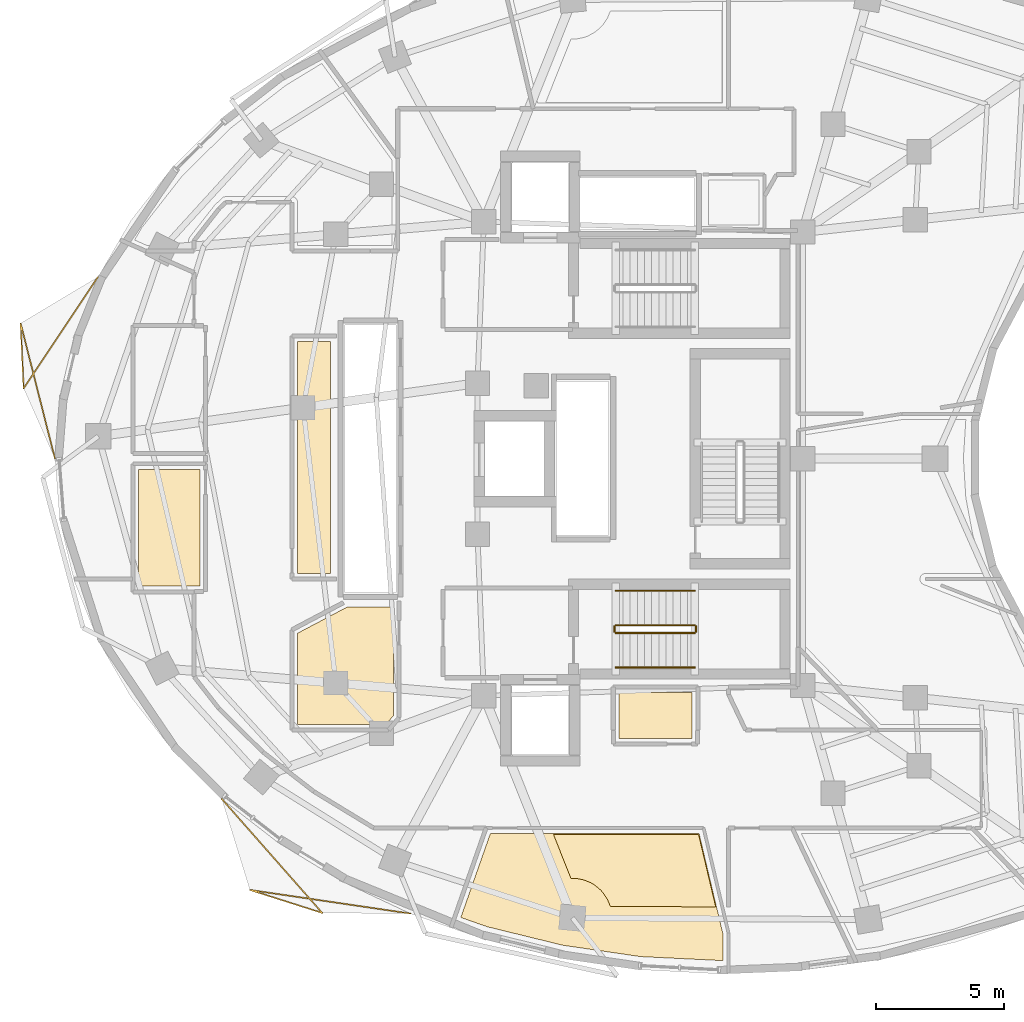
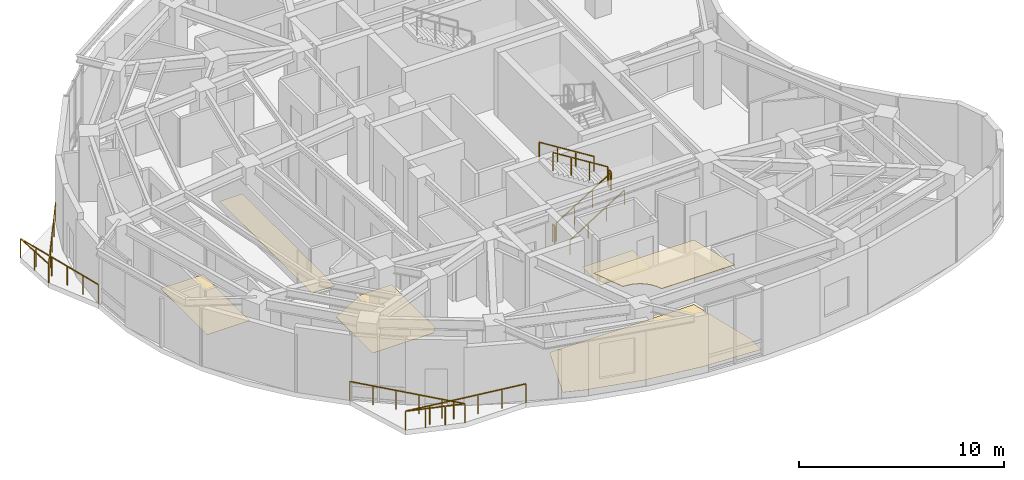
# One storey, part 11 of 13: 8 railings, 6 coverings.
"""IFC4 building model written with IfcOpenShell, lengths in metres."""

from ifc_helpers import new_model, si_unit, direction, frame, origin, origin_2d, place, context, subcontext, project, spatial, polyline, rectangle, outline, extrude, material, layer, layer_set, type_object, element, save


model = new_model("IFC4")

# Units and contexts
model_context = context("Model", 3, precision=1e-05, world=origin(), true_north=direction((0.0, 1.0)))
body_context = subcontext(model_context, "Body", "Model", "MODEL_VIEW")
ifc_project = project(units=[si_unit("LENGTHUNIT", "METRE"), si_unit("AREAUNIT", "SQUARE_METRE"), si_unit("VOLUMEUNIT", "CUBIC_METRE"), si_unit("PLANEANGLEUNIT", "RADIAN"), si_unit("MASSUNIT", "GRAM", prefix="KILO")], contexts=[model_context])

# Site, building, storey
site_placement = place(None, origin())
site = spatial("IfcSite", under=ifc_project, at=site_placement, CompositionType="ELEMENT")
building_placement = place(site_placement, origin())
building = spatial("IfcBuilding", under=site, at=building_placement, Name="Korentha Bioscience Tower", CompositionType="ELEMENT")
storey_placement = place(building_placement, frame((0.0, 0.0, 204.60009765625)))
storey = spatial("IfcBuildingStorey", under=building, at=storey_placement, Name="L47", CompositionType="ELEMENT", Elevation=204.60009765625)

# Railings
ifc_material_1 = material(Name="Stainless Steel 304", Category="steel")
railing_type_1 = type_object("IfcRailingType", Name="Brushed Stainless Stair Handrail 900", PredefinedType="HANDRAIL", material=ifc_material_1)
railing_1_placement = place(storey_placement, frame((30.25, 18.85009765625, 0.1748046875)))
element("IfcRailing", 1, at=railing_1_placement, inside=storey, type_object=railing_type_1, Name="L47 ST-2 stair handrail 1", PredefinedType="HANDRAIL", context=body_context, shape_type="SweptSolid", body=[
    extrude(rectangle(XDim=0.048095703125, YDim=0.048095703125, at=origin_2d()), frame((0.0, 0.0, 0.8759765625), z_axis=(0.847998304005, 0.0, 0.529998940003), x_axis=(0.0, 1.0, 0.0)), (0.0, 0.0, 1.0), 3.632080078125),
    extrude(rectangle(XDim=0.0419921875, YDim=0.0419921875, at=origin_2d()), origin(), (0.0, 0.0, 1.0), 0.851806640625),
    extrude(rectangle(XDim=0.0419921875, YDim=0.0419921875, at=origin_2d()), frame((1.026611328125, 0.0, 0.6416015625)), (0.0, 0.0, 1.0), 0.851806640625),
    extrude(rectangle(XDim=0.0419921875, YDim=0.0419921875, at=origin_2d()), frame((2.053466796875, 0.0, 1.283447265625)), (0.0, 0.0, 1.0), 0.851806640625),
    extrude(rectangle(XDim=0.0419921875, YDim=0.0419921875, at=origin_2d()), frame((3.080078125, 0.0, 1.925048828125)), (0.0, 0.0, 1.0), 0.851806640625),
])
railing_2_placement = place(storey_placement, frame((33.330078125, 21.85009765625, 2.27490234375)))
element("IfcRailing", 2, at=railing_2_placement, inside=storey, type_object=railing_type_1, Name="L47 ST-2 stair handrail 2", PredefinedType="HANDRAIL", context=body_context, shape_type="SweptSolid", body=[
    extrude(rectangle(XDim=0.048095703125, YDim=0.048095703125, at=origin_2d()), frame((0.0, 0.0, 0.8759765625), z_axis=(-0.847998304005, 0.0, 0.529998940003), x_axis=(0.0, -1.0, 0.0)), (0.0, 0.0, 1.0), 3.632080078125),
    extrude(rectangle(XDim=0.0419921875, YDim=0.0419921875, at=origin_2d()), origin(), (0.0, 0.0, 1.0), 0.851806640625),
    extrude(rectangle(XDim=0.0419921875, YDim=0.0419921875, at=origin_2d()), frame((-1.026611328125, 0.0, 0.6416015625)), (0.0, 0.0, 1.0), 0.851806640625),
    extrude(rectangle(XDim=0.0419921875, YDim=0.0419921875, at=origin_2d()), frame((-2.053466796875, 0.0, 1.283447265625)), (0.0, 0.0, 1.0), 0.851806640625),
    extrude(rectangle(XDim=0.0419921875, YDim=0.0419921875, at=origin_2d()), frame((-3.080078125, 0.0, 1.925048828125)), (0.0, 0.0, 1.0), 0.851806640625),
])
ifc_material_2 = material(Name="Laminated Tempered Safety Glass", Category="glass")
railing_type_2 = type_object("IfcRailingType", Name="Laminated Glass Balcony Guardrail 1150", PredefinedType="BALUSTRADE", material=ifc_material_2)
railing_3_placement = place(storey_placement, frame((10.041015625, 34.096435546875, 0.0)))
element("IfcRailing", 3, at=railing_3_placement, inside=storey, type_object=railing_type_2, Name="L47 Balcony Guardrail 02", PredefinedType="BALUSTRADE", context=body_context, shape_type="SweptSolid", body=[
    extrude(rectangle(XDim=0.048095703125, YDim=0.048095703125, at=origin_2d()), frame((0.0, 0.0, 1.1259765625), z_axis=(-0.55523863077, -0.831691086222, 0.0), x_axis=(0.831691086222, -0.55523863077, 0.0)), (0.0, 0.0, 1.0), 5.230712890625),
    extrude(rectangle(XDim=0.048095703125, YDim=0.048095703125, at=origin_2d()), frame((-2.904296875, -4.350341796875, 1.1259765625), z_axis=(-0.046401207244, 0.998922883894, 0.0), x_axis=(-0.998922883894, -0.046401207244, 0.0)), (0.0, 0.0, 1.0), 2.541259765625),
    extrude(rectangle(XDim=0.048095703125, YDim=0.048095703125, at=origin_2d()), frame((-3.022216796875, -1.811767578125, 1.1259765625), z_axis=(0.245800598479, -0.969320414408, 0.0), x_axis=(0.969320414408, 0.245800598479, 0.0)), (0.0, 0.0, 1.0), 5.451904296875),
    extrude(rectangle(XDim=0.0419921875, YDim=0.0419921875, at=origin_2d()), origin(), (0.0, 0.0, 1.0), 1.101806640625),
    extrude(rectangle(XDim=0.0419921875, YDim=0.0419921875, at=origin_2d()), frame((-0.72607421875, -1.087646484375, 0.0)), (0.0, 0.0, 1.0), 1.101806640625),
    extrude(rectangle(XDim=0.0419921875, YDim=0.0419921875, at=origin_2d()), frame((-1.4521484375, -2.17529296875, 0.0)), (0.0, 0.0, 1.0), 1.101806640625),
    extrude(rectangle(XDim=0.0419921875, YDim=0.0419921875, at=origin_2d()), frame((-2.17822265625, -3.2626953125, 0.0)), (0.0, 0.0, 1.0), 1.101806640625),
    extrude(rectangle(XDim=0.0419921875, YDim=0.0419921875, at=origin_2d()), frame((-2.904296875, -4.350341796875, 0.0)), (0.0, 0.0, 1.0), 1.101806640625),
    extrude(rectangle(XDim=0.0419921875, YDim=0.0419921875, at=origin_2d()), frame((-2.96337890625, -3.0810546875, 0.0)), (0.0, 0.0, 1.0), 1.101806640625),
    extrude(rectangle(XDim=0.0419921875, YDim=0.0419921875, at=origin_2d()), frame((-3.022216796875, -1.811767578125, 0.0)), (0.0, 0.0, 1.0), 1.101806640625),
    extrude(rectangle(XDim=0.0419921875, YDim=0.0419921875, at=origin_2d()), frame((-2.754150390625, -2.86865234375, 0.0)), (0.0, 0.0, 1.0), 1.101806640625),
    extrude(rectangle(XDim=0.0419921875, YDim=0.0419921875, at=origin_2d()), frame((-2.486083984375, -3.925537109375, 0.0)), (0.0, 0.0, 1.0), 1.101806640625),
    extrude(rectangle(XDim=0.0419921875, YDim=0.0419921875, at=origin_2d()), frame((-2.21826171875, -4.982666015625, 0.0)), (0.0, 0.0, 1.0), 1.101806640625),
    extrude(rectangle(XDim=0.0419921875, YDim=0.0419921875, at=origin_2d()), frame((-1.9501953125, -6.03955078125, 0.0)), (0.0, 0.0, 1.0), 1.101806640625),
    extrude(rectangle(XDim=0.0419921875, YDim=0.0419921875, at=origin_2d()), frame((-1.68212890625, -7.096435546875, 0.0)), (0.0, 0.0, 1.0), 1.101806640625),
])
railing_4_placement = place(storey_placement, frame((14.87060546875, 13.720458984375, 0.0)))
element("IfcRailing", 4, at=railing_4_placement, inside=storey, type_object=railing_type_2, Name="L47 Balcony Guardrail 03", PredefinedType="BALUSTRADE", context=body_context, shape_type="SweptSolid", body=[
    extrude(rectangle(XDim=0.048095703125, YDim=0.048095703125, at=origin_2d()), frame((0.0, 0.0, 1.1259765625), z_axis=(0.661078526041, -0.750316721397, 0.0), x_axis=(0.750316721397, 0.661078526041, 0.0)), (0.0, 0.0, 1.0), 5.93408203125),
    extrude(rectangle(XDim=0.048095703125, YDim=0.048095703125, at=origin_2d()), frame((3.9228515625, -4.452392578125, 1.1259765625), z_axis=(-0.952858767138, 0.303414188673, 0.0), x_axis=(-0.303414188673, -0.952858767138, 0.0)), (0.0, 0.0, 1.0), 2.967529296875),
    extrude(rectangle(XDim=0.048095703125, YDim=0.048095703125, at=origin_2d()), frame((1.09521484375, -3.552001953125, 1.1259765625), z_axis=(0.989326770978, -0.145713898533, 0.0), x_axis=(0.145713898533, 0.989326770978, 0.0)), (0.0, 0.0, 1.0), 6.328369140625),
    extrude(rectangle(XDim=0.0419921875, YDim=0.0419921875, at=origin_2d()), origin(), (0.0, 0.0, 1.0), 1.101806640625),
    extrude(rectangle(XDim=0.0419921875, YDim=0.0419921875, at=origin_2d()), frame((0.78466796875, -0.890380859375, 0.0)), (0.0, 0.0, 1.0), 1.101806640625),
    extrude(rectangle(XDim=0.0419921875, YDim=0.0419921875, at=origin_2d()), frame((1.569091796875, -1.781005859375, 0.0)), (0.0, 0.0, 1.0), 1.101806640625),
    extrude(rectangle(XDim=0.0419921875, YDim=0.0419921875, at=origin_2d()), frame((2.353759765625, -2.67138671875, 0.0)), (0.0, 0.0, 1.0), 1.101806640625),
    extrude(rectangle(XDim=0.0419921875, YDim=0.0419921875, at=origin_2d()), frame((3.13818359375, -3.56201171875, 0.0)), (0.0, 0.0, 1.0), 1.101806640625),
    extrude(rectangle(XDim=0.0419921875, YDim=0.0419921875, at=origin_2d()), frame((3.9228515625, -4.452392578125, 0.0)), (0.0, 0.0, 1.0), 1.101806640625),
    extrude(rectangle(XDim=0.0419921875, YDim=0.0419921875, at=origin_2d()), frame((2.980224609375, -4.15234375, 0.0)), (0.0, 0.0, 1.0), 1.101806640625),
    extrude(rectangle(XDim=0.0419921875, YDim=0.0419921875, at=origin_2d()), frame((2.037841796875, -3.85205078125, 0.0)), (0.0, 0.0, 1.0), 1.101806640625),
    extrude(rectangle(XDim=0.0419921875, YDim=0.0419921875, at=origin_2d()), frame((1.09521484375, -3.552001953125, 0.0)), (0.0, 0.0, 1.0), 1.101806640625),
    extrude(rectangle(XDim=0.0419921875, YDim=0.0419921875, at=origin_2d()), frame((2.347412109375, -3.736328125, 0.0)), (0.0, 0.0, 1.0), 1.101806640625),
    extrude(rectangle(XDim=0.0419921875, YDim=0.0419921875, at=origin_2d()), frame((3.599609375, -3.9208984375, 0.0)), (0.0, 0.0, 1.0), 1.101806640625),
    extrude(rectangle(XDim=0.0419921875, YDim=0.0419921875, at=origin_2d()), frame((4.8515625, -4.105224609375, 0.0)), (0.0, 0.0, 1.0), 1.101806640625),
    extrude(rectangle(XDim=0.0419921875, YDim=0.0419921875, at=origin_2d()), frame((6.103759765625, -4.289794921875, 0.0)), (0.0, 0.0, 1.0), 1.101806640625),
    extrude(rectangle(XDim=0.0419921875, YDim=0.0419921875, at=origin_2d()), frame((7.35595703125, -4.47412109375, 0.0)), (0.0, 0.0, 1.0), 1.101806640625),
])

# Covering
ifc_material_3 = material(Name="Antimicrobial Mineral Fibre Board", Category="gypsum")
ifc_layer_1 = layer(ifc_material_3, 0.034912109375, Name="Antimicrobial Mineral Fibre Board")
ifc_layer_set_1 = layer_set([ifc_layer_1], Name="Antimicrobial Mineral Fibre Board (CL-MF35)")
covering_type_1 = type_object("IfcCoveringType", Name="Mineral-Fibre Cleanroom Suspended Ceiling 35", PredefinedType="CEILING", material=ifc_layer_set_1)
covering_1_placement = place(storey_placement, frame((0.0, 0.0, 3.864990234375)))
element("IfcCovering", 5, at=covering_1_placement, inside=storey, type_object=covering_type_1, Name="L47 Principal Investigator Office 03 Acoustic Ceiling", PredefinedType="CEILING", context=body_context, shape_type="SweptSolid", body=[
    extrude(outline(polyline([(34.149658203125, 9.504638671875), (30.03662109375, 9.52734375), (29.920654296875, 9.80712890625), (29.751953125, 10.059814453125), (29.649658203125, 10.172607421875), (29.414794921875, 10.365234375), (29.284423828125, 10.443603515625), (29.003662109375, 10.559814453125), (28.70556640625, 10.618896484375), (28.497314453125, 10.623779296875), (27.814697265625, 12.337646484375), (33.4775390625, 12.33984375), (34.149658203125, 9.504638671875)])), origin(), (0.0, 0.0, 1.0), 0.034912109375),
])

# Railings
ifc_material_4 = material(Name="Painted Steel S275", Category="steel")
railing_type_3 = type_object("IfcRailingType", Name="Painted Steel Stair Well Guardrail 1100", PredefinedType="GUARDRAIL", material=ifc_material_4)
railing_5_placement = place(storey_placement, frame((30.25, 20.199951171875, 0.1748046875)))
element("IfcRailing", 6, at=railing_5_placement, inside=storey, type_object=railing_type_3, Name="L47 ST-2 stair guard 1", PredefinedType="GUARDRAIL", context=body_context, shape_type="SweptSolid", body=[
    extrude(rectangle(XDim=0.048095703125, YDim=0.048095703125, at=origin_2d()), frame((0.0, 0.0, 1.076171875), z_axis=(0.847998304005, 0.0, 0.529998940003), x_axis=(0.0, 1.0, 0.0)), (0.0, 0.0, 1.0), 3.632080078125),
    extrude(rectangle(XDim=0.0419921875, YDim=0.0419921875, at=origin_2d()), origin(), (0.0, 0.0, 1.0), 1.052001953125),
    extrude(rectangle(XDim=0.0419921875, YDim=0.0419921875, at=origin_2d()), frame((1.026611328125, 0.0, 0.6416015625)), (0.0, 0.0, 1.0), 1.052001953125),
    extrude(rectangle(XDim=0.0419921875, YDim=0.0419921875, at=origin_2d()), frame((2.053466796875, 0.0, 1.283447265625)), (0.0, 0.0, 1.0), 1.052001953125),
    extrude(rectangle(XDim=0.0419921875, YDim=0.0419921875, at=origin_2d()), frame((3.080078125, 0.0, 1.925048828125)), (0.0, 0.0, 1.0), 1.052001953125),
])
railing_6_placement = place(storey_placement, frame((33.3798828125, 20.25, 2.099853515625)))
element("IfcRailing", 7, at=railing_6_placement, inside=storey, type_object=railing_type_3, Name="L47 ST-2 stair guard 2", PredefinedType="GUARDRAIL", context=body_context, shape_type="SweptSolid", body=[
    extrude(rectangle(XDim=0.048095703125, YDim=0.048095703125, at=origin_2d()), frame((0.0, 0.0, 1.076171875), z_axis=(0.0, 1.0, 0.0), x_axis=(-1.0, 0.0, 0.0)), (0.0, 0.0, 1.0), 0.199951171875),
    extrude(rectangle(XDim=0.0419921875, YDim=0.0419921875, at=origin_2d()), origin(), (0.0, 0.0, 1.0), 1.052001953125),
    extrude(rectangle(XDim=0.0419921875, YDim=0.0419921875, at=origin_2d()), frame((0.0, 0.199951171875, 0.0)), (0.0, 0.0, 1.0), 1.052001953125),
])
railing_7_placement = place(storey_placement, frame((33.330078125, 20.5, 2.27490234375)))
element("IfcRailing", 8, at=railing_7_placement, inside=storey, type_object=railing_type_3, Name="L47 ST-2 stair guard 3", PredefinedType="GUARDRAIL", context=body_context, shape_type="SweptSolid", body=[
    extrude(rectangle(XDim=0.048095703125, YDim=0.048095703125, at=origin_2d()), frame((0.0, 0.0, 1.076171875), z_axis=(-0.847998304005, 0.0, 0.529998940003), x_axis=(0.0, -1.0, 0.0)), (0.0, 0.0, 1.0), 3.632080078125),
    extrude(rectangle(XDim=0.0419921875, YDim=0.0419921875, at=origin_2d()), origin(), (0.0, 0.0, 1.0), 1.052001953125),
    extrude(rectangle(XDim=0.0419921875, YDim=0.0419921875, at=origin_2d()), frame((-1.026611328125, 0.0, 0.6416015625)), (0.0, 0.0, 1.0), 1.052001953125),
    extrude(rectangle(XDim=0.0419921875, YDim=0.0419921875, at=origin_2d()), frame((-2.053466796875, 0.0, 1.283447265625)), (0.0, 0.0, 1.0), 1.052001953125),
    extrude(rectangle(XDim=0.0419921875, YDim=0.0419921875, at=origin_2d()), frame((-3.080078125, 0.0, 1.925048828125)), (0.0, 0.0, 1.0), 1.052001953125),
])
railing_8_placement = place(storey_placement, frame((30.199951171875, 20.25, 0.0)))
element("IfcRailing", 9, at=railing_8_placement, inside=storey, type_object=railing_type_3, Name="L47 ST-2 stair guard 4", PredefinedType="GUARDRAIL", context=body_context, shape_type="SweptSolid", body=[
    extrude(rectangle(XDim=0.048095703125, YDim=0.048095703125, at=origin_2d()), frame((0.0, 0.0, 1.076171875), z_axis=(0.0, 1.0, 0.0), x_axis=(-1.0, 0.0, 0.0)), (0.0, 0.0, 1.0), 0.199951171875),
    extrude(rectangle(XDim=0.0419921875, YDim=0.0419921875, at=origin_2d()), origin(), (0.0, 0.0, 1.0), 1.052001953125),
    extrude(rectangle(XDim=0.0419921875, YDim=0.0419921875, at=origin_2d()), frame((0.0, 0.199951171875, 0.0)), (0.0, 0.0, 1.0), 1.052001953125),
])

# Coverings
ifc_material_5 = material(Name="Chemical-Resistant Epoxy Resin", Category="polymer")
ifc_layer_2 = layer(ifc_material_5, 0.011962890625, Name="Chemical-Resistant Epoxy Resin")
ifc_layer_set_2 = layer_set([ifc_layer_2], Name="Chemical-Resistant Epoxy Resin (FL-EPX)")
covering_type_2 = type_object("IfcCoveringType", Name="Seamless Epoxy Laboratory Flooring 12", PredefinedType="FLOORING", material=ifc_layer_set_2)
covering_2_placement = place(storey_placement, origin())
element("IfcCovering", 10, at=covering_2_placement, inside=storey, type_object=covering_type_2, Name="L47 Core Instrumentation and Gas Store Floor Finish", PredefinedType="FLOORING", context=body_context, shape_type="SweptSolid", body=[
    extrude(outline(polyline([(33.22998046875, 17.8701171875), (33.219970703125, 16.080078125), (30.3798828125, 16.080078125), (30.371337890625, 17.8701171875), (33.22998046875, 17.8701171875)])), origin(), (0.0, 0.0, 1.0), 0.011962890625),
])
covering_3_placement = place(storey_placement, origin())
element("IfcCovering", 11, at=covering_3_placement, inside=storey, type_object=covering_type_2, Name="L47 Reclaimed Bank-1 Cold Freezer Alcove Floor Finish", PredefinedType="FLOORING", context=body_context, shape_type="SweptSolid", body=[
    extrude(outline(polyline([(14.02001953125, 22.030029296875), (11.6201171875, 22.02099609375), (11.6201171875, 26.580078125), (14.02001953125, 26.580078125), (14.02001953125, 22.030029296875)])), origin(), (0.0, 0.0, 1.0), 0.011962890625),
])
covering_4_placement = place(storey_placement, origin())
element("IfcCovering", 12, at=covering_4_placement, inside=storey, type_object=covering_type_2, Name="L47 Biospecimen Archive Store 01 Floor Finish", PredefinedType="FLOORING", context=body_context, shape_type="SweptSolid", body=[
    extrude(outline(polyline([(21.570068359375, 21.219970703125), (21.570068359375, 16.97119140625), (21.2841796875, 16.6298828125), (17.830078125, 16.6298828125), (17.830078125, 20.189697265625), (19.78271484375, 21.219970703125), (21.570068359375, 21.219970703125)])), origin(), (0.0, 0.0, 1.0), 0.011962890625),
])
covering_5_placement = place(storey_placement, origin())
element("IfcCovering", 13, at=covering_5_placement, inside=storey, type_object=covering_type_2, Name="L47 Principal Investigator Office 03 Floor Finish", PredefinedType="FLOORING", context=body_context, shape_type="SweptSolid", body=[
    extrude(outline(polyline([(25.352294921875, 12.36669921875), (33.50146484375, 12.369873046875), (34.427978515625, 8.461181640625), (34.427978515625, 7.4091796875), (31.21240234375, 7.5654296875), (28.17431640625, 8.01025390625), (25.229248046875, 8.731689453125), (24.2001953125, 9.09326171875), (25.352294921875, 12.36669921875)])), origin(), (0.0, 0.0, 1.0), 0.011962890625),
])
covering_6_placement = place(storey_placement, origin())
element("IfcCovering", 14, at=covering_6_placement, inside=storey, type_object=covering_type_2, Name="L47 HPLC Chromatography Room 13 Floor Finish", PredefinedType="FLOORING", context=body_context, shape_type="SweptSolid", body=[
    extrude(outline(polyline([(17.830078125, 22.52197265625), (17.830078125, 31.570068359375), (19.1201171875, 31.570068359375), (19.1201171875, 22.522216796875), (17.830078125, 22.52197265625)])), origin(), (0.0, 0.0, 1.0), 0.011962890625),
])

save(model, "model.ifc")
